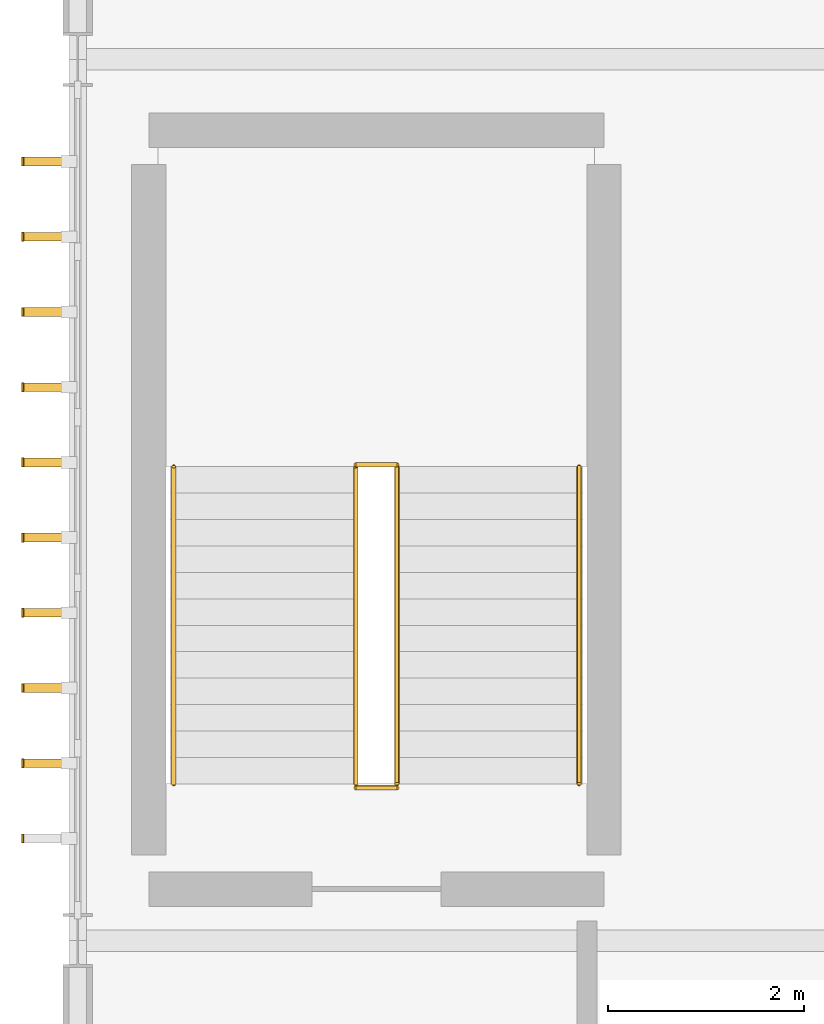
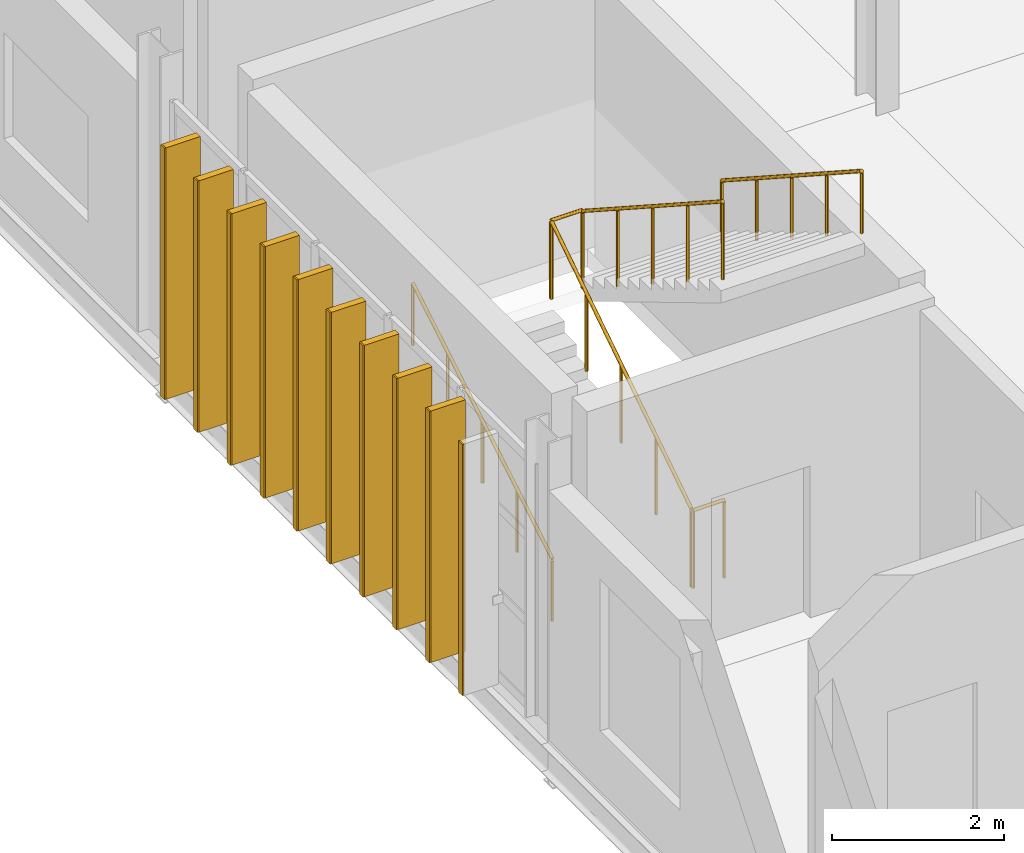
# One storey, part 49 of 52: 10 coverings, 9 shading devices, 6 railings.
"""IFC4 building model written with IfcOpenShell, lengths in metres."""

from ifc_helpers import new_model, si_unit, direction, frame, origin, origin_2d, place, context, subcontext, project, spatial, rectangle, circle, extrude, material, layer, layer_set, type_object, element, save


model = new_model("IFC4")

# Units and contexts
model_context = context("Model", 3, precision=1e-05, world=origin(), true_north=direction((0.0, 1.0)))
body_context = subcontext(model_context, "Body", "Model", "MODEL_VIEW")
ifc_project = project(units=[si_unit("LENGTHUNIT", "METRE"), si_unit("AREAUNIT", "SQUARE_METRE"), si_unit("VOLUMEUNIT", "CUBIC_METRE"), si_unit("PLANEANGLEUNIT", "RADIAN"), si_unit("MASSUNIT", "GRAM", prefix="KILO")], contexts=[model_context])

# Site, building, storey
site_placement = place(None, origin())
site = spatial("IfcSite", under=ifc_project, at=site_placement, CompositionType="ELEMENT")
building_placement = place(site_placement, origin())
building = spatial("IfcBuilding", under=site, at=building_placement, Name="Zarnetskaya Central Station", CompositionType="ELEMENT")
storey_placement = place(building_placement, frame((0.0, 0.0, 14.39990234375)))
storey = spatial("IfcBuildingStorey", under=building, at=storey_placement, Name="L03", CompositionType="ELEMENT", Elevation=14.39990234375)

# Coverings
ifc_material_1 = material(Name="Treated larch timber", Category="wood")
ifc_layer = layer(ifc_material_1, 0.02001953125, Name="Treated larch timber", Category="wood")
ifc_layer_set = layer_set([ifc_layer], Name="Treated larch timber")
covering_type = type_object("IfcCoveringType", Name="COV-LARCH-CAP", PredefinedType="CLADDING", material=ifc_layer_set)
for number, where, z_axis, x_axis, name in (
    (1, (-0.56005859375, 32.2431640625, 0.0), (0.0, 0.0, 1.0), (0.0, 1.0, 0.0), "Larch fin weather cap CW-L03-033-01"),
    (2, (-0.56005859375, 33.011474609375, 0.0), (0.0, 0.0, 1.0), (0.0, 1.0, 0.0), "Larch fin weather cap CW-L03-033-02"),
    (3, (-0.56005859375, 33.779541015625, 0.0), (0.0, 0.0, 1.0), (0.0, 1.0, 0.0), "Larch fin weather cap CW-L03-033-03"),
    (4, (-0.56005859375, 34.547607421875, 0.0), (0.0, 0.0, 1.0), (0.0, 1.0, 0.0), "Larch fin weather cap CW-L03-033-04"),
    (5, (-0.56005859375, 35.31591796875, 0.0), (0.0, 0.0, 1.0), (0.0, 1.0, 0.0), "Larch fin weather cap CW-L03-033-05"),
    (6, (-0.56005859375, 36.083984375, 0.0), (0.0, 0.0, 1.0), (0.0, 1.0, 0.0), "Larch fin weather cap CW-L03-033-06"),
    (7, (-0.56005859375, 36.852294921875, 0.0), (0.0, 0.0, 1.0), (0.0, 1.0, 0.0), "Larch fin weather cap CW-L03-033-07"),
    (8, (-0.56005859375, 37.620361328125, 0.0), (0.0, 0.0, 1.0), (0.0, 1.0, 0.0), "Larch fin weather cap CW-L03-033-08"),
    (9, (-0.56005859375, 38.388671875, 0.0), (0.0, 0.0, 1.0), (0.0, 1.0, 0.0), "Larch fin weather cap CW-L03-033-09"),
    (10, (-0.56005859375, 39.15673828125, 0.0), (0.0, 0.0, 1.0), (0.0, 1.0, 0.0), "Larch fin weather cap CW-L03-033-10"),
):
    element("IfcCovering", number, at=place(storey_placement, frame(where, z_axis=z_axis, x_axis=x_axis)), inside=storey, type_object=covering_type, Name=name, PredefinedType="CLADDING", context=body_context, shape_type="SweptSolid", body=[
        extrude(rectangle(XDim=0.090087890625, YDim=0.02001953125, at=origin_2d()), origin(), (0.0, 0.0, 1.0), 3.56005859375),
    ])

# Railings
ifc_material_2 = material(Name="Steel S355", Category="steel")
railing_type_1 = type_object("IfcRailingType", Name="RAIL-HAND-900", PredefinedType="HANDRAIL", material=ifc_material_2)
railing_1_placement = place(storey_placement, frame((0.97998046875, 32.800048828125, 0.16162109375)))
element("IfcRailing", 11, at=railing_1_placement, inside=storey, type_object=railing_type_1, Name="Stair ST-C2 L03 flight 1 handrail", PredefinedType="HANDRAIL", context=body_context, shape_type="SweptSolid", body=[
    extrude(circle(Radius=0.02392578125, at=origin_2d()), frame((0.0, 0.0, 0.8759765625), z_axis=(0.0, 0.858136976317, 0.513420811691), x_axis=(-1.0, 0.0, 0.0)), (0.0, 0.0, 1.0), 3.775634765625),
    extrude(circle(Radius=0.02099609375, at=origin_2d()), origin(), (0.0, 0.0, 1.0), 0.851806640625),
    extrude(circle(Radius=0.02099609375, at=origin_2d()), frame((0.0, 0.81005859375, 0.484619140625)), (0.0, 0.0, 1.0), 0.851806640625),
    extrude(circle(Radius=0.02099609375, at=origin_2d()), frame((0.0, 1.6201171875, 0.96923828125)), (0.0, 0.0, 1.0), 0.851806640625),
    extrude(circle(Radius=0.02099609375, at=origin_2d()), frame((0.0, 2.429931640625, 1.453857421875)), (0.0, 0.0, 1.0), 0.851806640625),
    extrude(circle(Radius=0.02099609375, at=origin_2d()), frame((0.0, 3.239990234375, 1.9384765625)), (0.0, 0.0, 1.0), 0.851806640625),
])
railing_2_placement = place(storey_placement, frame((5.1201171875, 36.0400390625, 2.10009765625)))
element("IfcRailing", 12, at=railing_2_placement, inside=storey, type_object=railing_type_1, Name="Stair ST-C2 L03 flight 2 handrail", PredefinedType="HANDRAIL", context=body_context, shape_type="SweptSolid", body=[
    extrude(circle(Radius=0.02392578125, at=origin_2d()), frame((0.0, 0.0, 0.8759765625), z_axis=(0.0, -0.839140694364, 0.543914418877), x_axis=(1.0, 0.0, 0.0)), (0.0, 0.0, 1.0), 3.861083984375),
    extrude(circle(Radius=0.02099609375, at=origin_2d()), origin(), (0.0, 0.0, 1.0), 0.851806640625),
    extrude(circle(Radius=0.02099609375, at=origin_2d()), frame((0.0, -0.81005859375, 0.52490234375)), (0.0, 0.0, 1.0), 0.851806640625),
    extrude(circle(Radius=0.02099609375, at=origin_2d()), frame((0.0, -1.6201171875, 1.050048828125)), (0.0, 0.0, 1.0), 0.851806640625),
    extrude(circle(Radius=0.02099609375, at=origin_2d()), frame((0.0, -2.429931640625, 1.5751953125)), (0.0, 0.0, 1.0), 0.851806640625),
    extrude(circle(Radius=0.02099609375, at=origin_2d()), frame((0.0, -3.239990234375, 2.10009765625)), (0.0, 0.0, 1.0), 0.851806640625),
])
railing_type_2 = type_object("IfcRailingType", Name="RAIL-STAIR-GRD", PredefinedType="BALUSTRADE", material=ifc_material_2)
railing_3_placement = place(storey_placement, frame((2.840087890625, 32.760009765625, 0.0)))
element("IfcRailing", 13, at=railing_3_placement, inside=storey, type_object=railing_type_2, Name="Stair ST-C2 L03 floor well guard", PredefinedType="BALUSTRADE", context=body_context, shape_type="SweptSolid", body=[
    extrude(circle(Radius=0.02392578125, at=origin_2d()), frame((0.0, 0.0, 1.09619140625), z_axis=(1.0, 0.0, 0.0), x_axis=(0.0, 1.0, 0.0)), (0.0, 0.0, 1.0), 0.419921875),
    extrude(circle(Radius=0.02099609375, at=origin_2d()), origin(), (0.0, 0.0, 1.0), 1.072021484375),
    extrude(circle(Radius=0.02099609375, at=origin_2d()), frame((0.419921875, 0.0, 0.0)), (0.0, 0.0, 1.0), 1.072021484375),
])
railing_4_placement = place(storey_placement, frame((2.840087890625, 32.800048828125, 0.0)))
element("IfcRailing", 14, at=railing_4_placement, inside=storey, type_object=railing_type_2, Name="Stair ST-C2 L03 flight 1 well guard", PredefinedType="BALUSTRADE", context=body_context, shape_type="SweptSolid", body=[
    extrude(circle(Radius=0.02392578125, at=origin_2d()), frame((0.0, 0.0, 1.09619140625), z_axis=(0.0, 0.839140694364, 0.543914418877), x_axis=(-1.0, 0.0, 0.0)), (0.0, 0.0, 1.0), 3.861083984375),
    extrude(circle(Radius=0.02099609375, at=origin_2d()), origin(), (0.0, 0.0, 1.0), 1.072021484375),
    extrude(circle(Radius=0.02099609375, at=origin_2d()), frame((0.0, 0.81005859375, 0.52490234375)), (0.0, 0.0, 1.0), 1.072021484375),
    extrude(circle(Radius=0.02099609375, at=origin_2d()), frame((0.0, 1.6201171875, 1.050048828125)), (0.0, 0.0, 1.0), 1.072021484375),
    extrude(circle(Radius=0.02099609375, at=origin_2d()), frame((0.0, 2.429931640625, 1.5751953125)), (0.0, 0.0, 1.0), 1.072021484375),
    extrude(circle(Radius=0.02099609375, at=origin_2d()), frame((0.0, 3.239990234375, 2.10009765625)), (0.0, 0.0, 1.0), 1.072021484375),
])
railing_5_placement = place(storey_placement, frame((2.840087890625, 36.06005859375, 2.10009765625)))
element("IfcRailing", 15, at=railing_5_placement, inside=storey, type_object=railing_type_2, Name="Stair ST-C2 L03 half-landing well guard", PredefinedType="BALUSTRADE", context=body_context, shape_type="SweptSolid", body=[
    extrude(circle(Radius=0.02392578125, at=origin_2d()), frame((0.0, 0.0, 1.09619140625), z_axis=(1.0, 0.0, 0.0), x_axis=(0.0, 1.0, 0.0)), (0.0, 0.0, 1.0), 0.419921875),
    extrude(circle(Radius=0.02099609375, at=origin_2d()), origin(), (0.0, 0.0, 1.0), 1.072021484375),
    extrude(circle(Radius=0.02099609375, at=origin_2d()), frame((0.419921875, 0.0, 0.0)), (0.0, 0.0, 1.0), 1.072021484375),
])
railing_6_placement = place(storey_placement, frame((3.260009765625, 36.0400390625, 2.10009765625)))
element("IfcRailing", 16, at=railing_6_placement, inside=storey, type_object=railing_type_2, Name="Stair ST-C2 L03 flight 2 well guard", PredefinedType="BALUSTRADE", context=body_context, shape_type="SweptSolid", body=[
    extrude(circle(Radius=0.02392578125, at=origin_2d()), frame((0.0, 0.0, 1.09619140625), z_axis=(0.0, -0.839140694364, 0.543914418877), x_axis=(1.0, 0.0, 0.0)), (0.0, 0.0, 1.0), 3.861083984375),
    extrude(circle(Radius=0.02099609375, at=origin_2d()), origin(), (0.0, 0.0, 1.0), 1.072021484375),
    extrude(circle(Radius=0.02099609375, at=origin_2d()), frame((0.0, -0.81005859375, 0.52490234375)), (0.0, 0.0, 1.0), 1.072021484375),
    extrude(circle(Radius=0.02099609375, at=origin_2d()), frame((0.0, -1.6201171875, 1.050048828125)), (0.0, 0.0, 1.0), 1.072021484375),
    extrude(circle(Radius=0.02099609375, at=origin_2d()), frame((0.0, -2.429931640625, 1.5751953125)), (0.0, 0.0, 1.0), 1.072021484375),
    extrude(circle(Radius=0.02099609375, at=origin_2d()), frame((0.0, -3.239990234375, 2.10009765625)), (0.0, 0.0, 1.0), 1.072021484375),
])

# Shading devices
ifc_material_3 = material(Name="Larch glulam GL28h", Category="wood")
shading_device_type = type_object("IfcShadingDeviceType", Name="SHD-LARCH-FIN-A", PredefinedType="USERDEFINED", material=ifc_material_3)
for number, where, z_axis, x_axis, name in (
    (17, (-0.320068359375, 33.011474609375, 0.0), (0.0, 0.0, 1.0), (0.0, 1.0, 0.0), "Vertical larch timber fin CW-L03-033-02"),
    (18, (-0.320068359375, 33.779541015625, 0.0), (0.0, 0.0, 1.0), (0.0, 1.0, 0.0), "Vertical larch timber fin CW-L03-033-03"),
    (19, (-0.320068359375, 34.547607421875, 0.0), (0.0, 0.0, 1.0), (0.0, 1.0, 0.0), "Vertical larch timber fin CW-L03-033-04"),
    (20, (-0.320068359375, 35.31591796875, 0.0), (0.0, 0.0, 1.0), (0.0, 1.0, 0.0), "Vertical larch timber fin CW-L03-033-05"),
    (21, (-0.320068359375, 36.083984375, 0.0), (0.0, 0.0, 1.0), (0.0, 1.0, 0.0), "Vertical larch timber fin CW-L03-033-06"),
    (22, (-0.320068359375, 36.852294921875, 0.0), (0.0, 0.0, 1.0), (0.0, 1.0, 0.0), "Vertical larch timber fin CW-L03-033-07"),
    (23, (-0.320068359375, 37.620361328125, 0.0), (0.0, 0.0, 1.0), (0.0, 1.0, 0.0), "Vertical larch timber fin CW-L03-033-08"),
    (24, (-0.320068359375, 38.388671875, 0.0), (0.0, 0.0, 1.0), (0.0, 1.0, 0.0), "Vertical larch timber fin CW-L03-033-09"),
    (25, (-0.320068359375, 39.15673828125, 0.0), (0.0, 0.0, 1.0), (0.0, 1.0, 0.0), "Vertical larch timber fin CW-L03-033-10"),
):
    element("IfcShadingDevice", number, at=place(storey_placement, frame(where, z_axis=z_axis, x_axis=x_axis)), inside=storey, type_object=shading_device_type, Name=name, ObjectType="TIMBER FIN", PredefinedType="USERDEFINED", context=body_context, shape_type="SweptSolid", body=[
        extrude(rectangle(XDim=0.090087890625, YDim=0.4599609375, at=origin_2d()), origin(), (0.0, 0.0, 1.0), 3.56005859375),
    ])

save(model, "model.ifc")
